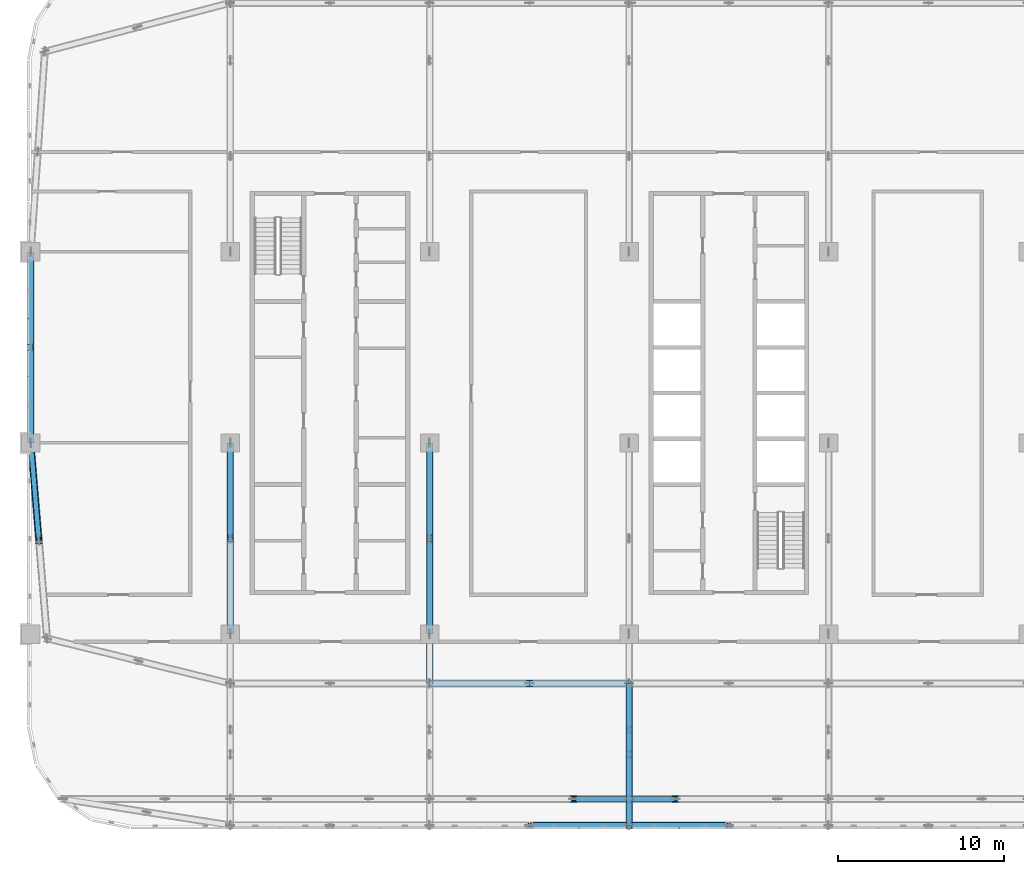
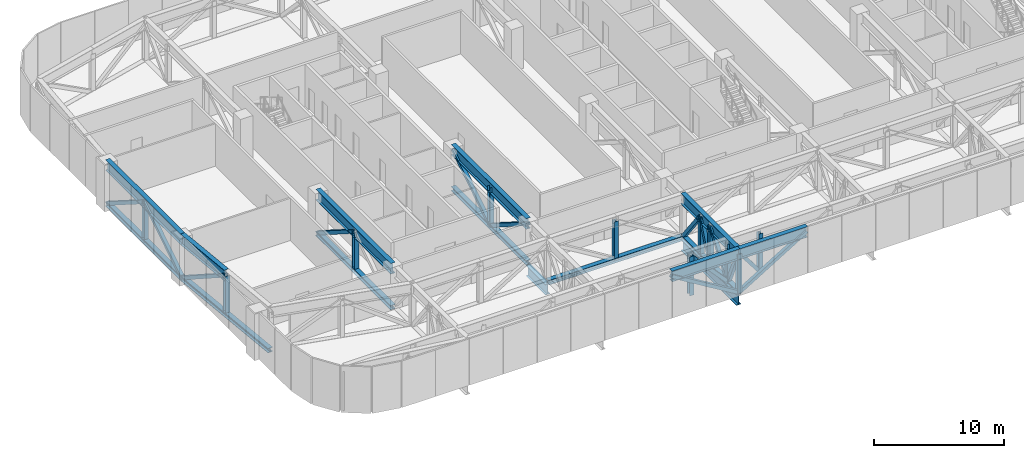
# One storey, part 5 of 28: 38 members, 2 beams.
"""IFC4 building model written with IfcOpenShell, lengths in metres."""

from ifc_helpers import new_model, si_unit, direction, frame, origin, origin_2d, place, context, subcontext, project, spatial, hollow_rectangle, i_section, extrude, material, material_profile, profile_set, type_object, element, save


model = new_model("IFC4")

# Units and contexts
model_context = context("Model", 3, precision=1e-05, world=origin(), true_north=direction((0.0, 1.0)))
body_context = subcontext(model_context, "Body", "Model", "MODEL_VIEW")
ifc_project = project(units=[si_unit("LENGTHUNIT", "METRE"), si_unit("AREAUNIT", "SQUARE_METRE"), si_unit("VOLUMEUNIT", "CUBIC_METRE"), si_unit("PLANEANGLEUNIT", "RADIAN"), si_unit("MASSUNIT", "GRAM", prefix="KILO")], contexts=[model_context])

# Site, building, storey
site_placement = place(None, origin())
site = spatial("IfcSite", under=ifc_project, at=site_placement, CompositionType="ELEMENT")
building_placement = place(site_placement, origin())
building = spatial("IfcBuilding", under=site, at=building_placement, Name="Mahtab Terrace Research Tower", CompositionType="ELEMENT")
storey_placement = place(building_placement, frame((0.0, 0.0, 224.300048828125)))
storey = spatial("IfcBuildingStorey", under=building, at=storey_placement, Name="L54", CompositionType="ELEMENT", Elevation=224.300048828125)

# Members
ifc_material_1 = material(Name="Steel ASTM A500 Gr C", Category="steel")
ifc_material_profile_1 = material_profile(ifc_material_1, hollow_rectangle(XDim=0.3046875, YDim=0.3046875, WallThickness=0.0126953125, at=origin_2d()), Name="HSS12X12X1/2")
ifc_profile_set_1 = profile_set([ifc_material_profile_1], Name="Steel ASTM A500 Gr C")
member_type_1 = type_object("IfcMemberType", Name="HSS 12x12x1/2 brace TD121212", PredefinedType="BRACE", material=ifc_profile_set_1)
member_1_placement = place(storey_placement, frame((-42.0, 0.0, -0.18798828125), z_axis=(0.070506230624, -0.847623581335, 0.525892703702), x_axis=(0.996558305152, 0.082894779287, 0.0)))
element("IfcMember", 1, at=member_1_placement, inside=storey, type_object=member_type_1, Name="Transfer truss T6 diagonal 001", PredefinedType="BRACE", context=body_context, shape_type="SweptSolid", body=[
    extrude(hollow_rectangle(XDim=0.3046875, YDim=0.3046875, WallThickness=0.0126953125, at=origin_2d()), origin(), (0.0, 0.0, 1.0), 6.935791015625),
])
for number, where, z_axis, x_axis, name in (
    (2, (-42.0, 0.0, -0.18798828125), (0.0, 0.844434215401, 0.535659272168), (-1.0, 0.0, 0.0), "Transfer truss T6 diagonal 002"),
    (3, (-42.0, 11.5, -0.18798828125), (0.0, -0.844434215401, 0.535659272168), (1.0, 0.0, 0.0), "Transfer truss T6 diagonal 003"),
    (4, (-30.0, 0.0, -0.18798828125), (0.0, -0.844434215401, 0.535659272168), (1.0, 0.0, 0.0), "Transfer truss T6 diagonal 022"),
    (5, (-18.0, -5.75, -0.18798828125), (0.0, -0.844434215401, 0.535659272168), (1.0, 0.0, 0.0), "Transfer truss T6 diagonal 040"),
    (6, (-18.0, -5.75, -0.18798828125), (0.0, 0.844434215401, 0.535659272168), (-1.0, 0.0, 0.0), "Transfer truss T6 diagonal 041"),
):
    element("IfcMember", number, at=place(storey_placement, frame(where, z_axis=z_axis, x_axis=x_axis)), inside=storey, type_object=member_type_1, Name=name, PredefinedType="BRACE", context=body_context, shape_type="SweptSolid", body=[
        extrude(hollow_rectangle(XDim=0.3046875, YDim=0.3046875, WallThickness=0.0126953125, at=origin_2d()), origin(), (0.0, 0.0, 1.0), 6.809326171875),
    ])
member_2_placement = place(storey_placement, frame((-6.0, -21.416015625, -0.18798828125), z_axis=(-0.676875055583, 0.0, 0.736097927676), x_axis=(0.0, -1.0, 0.0)))
element("IfcMember", 7, at=member_2_placement, inside=storey, type_object=member_type_1, Name="Transfer truss T6 diagonal 050", PredefinedType="BRACE", context=body_context, shape_type="SweptSolid", body=[
    extrude(hollow_rectangle(XDim=0.3046875, YDim=0.3046875, WallThickness=0.0126953125, at=origin_2d()), origin(), (0.0, 0.0, 1.0), 4.955078125),
])
member_3_placement = place(storey_placement, frame((-6.0, -23.0, -0.18798828125), z_axis=(-0.854496522168, 0.0, 0.519457114306), x_axis=(0.0, -1.0, 0.0)))
element("IfcMember", 8, at=member_3_placement, inside=storey, type_object=member_type_1, Name="Transfer truss T6 diagonal 051", PredefinedType="BRACE", context=body_context, shape_type="SweptSolid", body=[
    extrude(hollow_rectangle(XDim=0.3046875, YDim=0.3046875, WallThickness=0.0126953125, at=origin_2d()), origin(), (0.0, 0.0, 1.0), 7.021728515625),
])
member_4_placement = place(storey_placement, frame((-6.0, -21.416015625, -0.18798828125), z_axis=(0.0, -0.398330959805, 0.917241760094), x_axis=(1.0, 0.0, 0.0)))
element("IfcMember", 9, at=member_4_placement, inside=storey, type_object=member_type_1, Name="Transfer truss T6 diagonal 052", PredefinedType="BRACE", context=body_context, shape_type="SweptSolid", body=[
    extrude(hollow_rectangle(XDim=0.3046875, YDim=0.3046875, WallThickness=0.0126953125, at=origin_2d()), origin(), (0.0, 0.0, 1.0), 3.9765625),
])
member_5_placement = place(storey_placement, frame((-6.0, -21.416015625, -0.18798828125), z_axis=(0.0, 0.5921000261, 0.805864479359), x_axis=(-1.0, 0.0, 0.0)))
element("IfcMember", 10, at=member_5_placement, inside=storey, type_object=member_type_1, Name="Transfer truss T6 diagonal 053", PredefinedType="BRACE", context=body_context, shape_type="SweptSolid", body=[
    extrude(hollow_rectangle(XDim=0.3046875, YDim=0.3046875, WallThickness=0.0126953125, at=origin_2d()), origin(), (0.0, 0.0, 1.0), 4.526123046875),
])
member_6_placement = place(storey_placement, frame((-3.2119140625, -21.416015625, -0.18798828125), z_axis=(-0.607292187246, 0.0, 0.794478570705), x_axis=(0.0, -1.0, 0.0)))
element("IfcMember", 11, at=member_6_placement, inside=storey, type_object=member_type_1, Name="Transfer truss T6 diagonal 054", PredefinedType="BRACE", context=body_context, shape_type="SweptSolid", body=[
    extrude(hollow_rectangle(XDim=0.3046875, YDim=0.3046875, WallThickness=0.0126953125, at=origin_2d()), origin(), (0.0, 0.0, 1.0), 4.591064453125),
])
member_7_placement = place(storey_placement, frame((-6.0, -18.736083984375, -0.18798828125), z_axis=(0.0, 0.377314608222, 0.926085139943), x_axis=(-1.0, 0.0, 0.0)))
element("IfcMember", 12, at=member_7_placement, inside=storey, type_object=member_type_1, Name="Transfer truss T6 diagonal 055", PredefinedType="BRACE", context=body_context, shape_type="SweptSolid", body=[
    extrude(hollow_rectangle(XDim=0.3046875, YDim=0.3046875, WallThickness=0.0126953125, at=origin_2d()), origin(), (0.0, 0.0, 1.0), 3.9384765625),
])
member_8_placement = place(storey_placement, frame((-6.0, -14.472900390625, -0.18798828125), z_axis=(0.0, -0.605778433587, 0.795633388817), x_axis=(1.0, 0.0, 0.0)))
element("IfcMember", 13, at=member_8_placement, inside=storey, type_object=member_type_1, Name="Transfer truss T6 diagonal 056", PredefinedType="BRACE", context=body_context, shape_type="SweptSolid", body=[
    extrude(hollow_rectangle(XDim=0.3046875, YDim=0.3046875, WallThickness=0.0126953125, at=origin_2d()), origin(), (0.0, 0.0, 1.0), 4.584228515625),
])
member_9_placement = place(storey_placement, frame((-6.0, -23.0, -0.18798828125), z_axis=(0.854496522168, 0.0, 0.519457114306), x_axis=(0.0, 1.0, 0.0)))
element("IfcMember", 14, at=member_9_placement, inside=storey, type_object=member_type_1, Name="Transfer truss T6 diagonal 066", PredefinedType="BRACE", context=body_context, shape_type="SweptSolid", body=[
    extrude(hollow_rectangle(XDim=0.3046875, YDim=0.3046875, WallThickness=0.0126953125, at=origin_2d()), origin(), (0.0, 0.0, 1.0), 7.021728515625),
])
ifc_material_2 = material(Name="Steel ASTM A992 Gr 50", Category="steel")
ifc_material_profile_2 = material_profile(ifc_material_2, i_section(OverallWidth=0.373291015625, OverallDepth=0.373291015625, WebThickness=0.016357421875, FlangeThickness=0.026123046875, at=origin_2d()), Name="W14X132")
ifc_profile_set_2 = profile_set([ifc_material_profile_2], Name="Steel ASTM A992 Gr 50")
member_type_2 = type_object("IfcMemberType", Name="W14x132 post TP14132", PredefinedType="POST", material=ifc_profile_set_2)
for number, where, z_axis, x_axis, name in (
    (15, (-42.0, 5.75, -0.18798828125), (0.0, 0.0, 1.0), (1.0, 0.0, 0.0), "Transfer truss T6 post 002"),
    (16, (-41.510009765625, -5.8798828125, -0.18798828125), (0.0, 0.0, 1.0), (1.0, 0.0, 0.0), "Transfer truss T6 post 005"),
    (17, (-30.0, -5.75, -0.18798828125), (0.0, 0.0, 1.0), (1.0, 0.0, 0.0), "Transfer truss T6 post 019"),
    (18, (-18.0, -5.75, -0.18798828125), (0.0, 0.0, 1.0), (1.0, 0.0, 0.0), "Transfer truss T6 post 036"),
    (19, (-12.0, -14.469970703125, -0.18798828125), (0.0, 0.0, 1.0), (1.0, 0.0, 0.0), "Transfer truss T6 post 044"),
    (20, (-9.35009765625, -21.419921875, -0.18798828125), (0.0, 0.0, 1.0), (1.0, 0.0, 0.0), "Transfer truss T6 post 046"),
    (21, (-6.0, -23.0, -0.18798828125), (0.0, 0.0, 1.0), (1.0, 0.0, 0.0), "Transfer truss T6 post 047"),
    (22, (-6.0, -21.419921875, -0.18798828125), (0.0, 0.0, 1.0), (1.0, 0.0, 0.0), "Transfer truss T6 post 048"),
    (23, (-6.0, -18.739990234375, -0.18798828125), (0.0, 0.0, 1.0), (1.0, 0.0, 0.0), "Transfer truss T6 post 049"),
    (24, (-6.0, -17.25, -0.18798828125), (0.0, 0.0, 1.0), (1.0, 0.0, 0.0), "Transfer truss T6 post 050"),
    (25, (-3.2099609375, -21.419921875, -0.18798828125), (0.0, 0.0, 1.0), (1.0, 0.0, 0.0), "Transfer truss T6 post 059"),
):
    element("IfcMember", number, at=place(storey_placement, frame(where, z_axis=z_axis, x_axis=x_axis)), inside=storey, type_object=member_type_2, Name=name, PredefinedType="POST", context=body_context, shape_type="SweptSolid", body=[
        extrude(i_section(OverallWidth=0.373291015625, OverallDepth=0.373291015625, WebThickness=0.016357421875, FlangeThickness=0.026123046875, at=origin_2d()), origin(), (0.0, 0.0, 1.0), 3.6474609375),
    ])
ifc_material_profile_3 = material_profile(ifc_material_2, i_section(OverallWidth=0.408935546875, OverallDepth=0.42431640625, WebThickness=0.03271484375, FlangeThickness=0.052490234375, at=origin_2d()), Name="W14X283")
ifc_profile_set_3 = profile_set([ifc_material_profile_3], Name="Steel ASTM A992 Gr 50")
member_type_3 = type_object("IfcMemberType", Name="W14x283 chord TC14283", PredefinedType="CHORD", material=ifc_profile_set_3)
member_10_placement = place(storey_placement, frame((-42.0, 0.0, -0.18798828125), z_axis=(0.082975269256, -0.996551606638, 0.0), x_axis=(0.996551606638, 0.082975269256, 0.0)))
element("IfcMember", 26, at=member_10_placement, inside=storey, type_object=member_type_3, Name="Transfer truss T6 bottom chord 001", PredefinedType="CHORD", context=body_context, shape_type="SweptSolid", body=[
    extrude(i_section(OverallWidth=0.408935546875, OverallDepth=0.42431640625, WebThickness=0.03271484375, FlangeThickness=0.052490234375, at=origin_2d()), origin(), (0.0, 0.0, 1.0), 11.798828125),
])
for number, where, z_axis, x_axis, name in (
    (27, (-42.0, 11.5, -0.18798828125), (0.0, -1.0, 0.0), (1.0, 0.0, 0.0), "Transfer truss T6 bottom chord 002"),
    (28, (-30.0, -11.5, -0.18798828125), (0.0, 1.0, 0.0), (-1.0, 0.0, 0.0), "Transfer truss T6 bottom chord 018"),
):
    element("IfcMember", number, at=place(storey_placement, frame(where, z_axis=z_axis, x_axis=x_axis)), inside=storey, type_object=member_type_3, Name=name, PredefinedType="CHORD", context=body_context, shape_type="SweptSolid", body=[
        extrude(i_section(OverallWidth=0.408935546875, OverallDepth=0.42431640625, WebThickness=0.03271484375, FlangeThickness=0.052490234375, at=origin_2d()), origin(), (0.0, 0.0, 1.0), 11.5),
    ])
member_11_placement = place(storey_placement, frame((-18.0, -14.472900390625, -0.18798828125), z_axis=(1.0, 0.0, 0.0), x_axis=(0.0, 1.0, 0.0)))
element("IfcMember", 29, at=member_11_placement, inside=storey, type_object=member_type_3, Name="Transfer truss T6 bottom chord 026", PredefinedType="CHORD", context=body_context, shape_type="SweptSolid", body=[
    extrude(i_section(OverallWidth=0.408935546875, OverallDepth=0.42431640625, WebThickness=0.03271484375, FlangeThickness=0.052490234375, at=origin_2d()), origin(), (0.0, 0.0, 1.0), 12.0),
])
member_12_placement = place(storey_placement, frame((-18.0, -11.5, -0.18798828125), z_axis=(0.0, 1.0, 0.0), x_axis=(-1.0, 0.0, 0.0)))
element("IfcMember", 30, at=member_12_placement, inside=storey, type_object=member_type_3, Name="Transfer truss T6 bottom chord 041", PredefinedType="CHORD", context=body_context, shape_type="SweptSolid", body=[
    extrude(i_section(OverallWidth=0.408935546875, OverallDepth=0.42431640625, WebThickness=0.03271484375, FlangeThickness=0.052490234375, at=origin_2d()), origin(), (0.0, 0.0, 1.0), 11.5),
])
member_13_placement = place(storey_placement, frame((-6.0, -23.0, -0.18798828125), z_axis=(0.0, 1.0, 0.0), x_axis=(-1.0, 0.0, 0.0)))
element("IfcMember", 31, at=member_13_placement, inside=storey, type_object=member_type_3, Name="Transfer truss T6 bottom chord 044", PredefinedType="CHORD", context=body_context, shape_type="SweptSolid", body=[
    extrude(i_section(OverallWidth=0.408935546875, OverallDepth=0.42431640625, WebThickness=0.03271484375, FlangeThickness=0.052490234375, at=origin_2d()), origin(), (0.0, 0.0, 1.0), 8.527099609375),
])
ifc_material_profile_4 = material_profile(ifc_material_2, i_section(OverallWidth=0.4013671875, OverallDepth=1.000732421875, WebThickness=0.01904296875, FlangeThickness=0.0361328125, at=origin_2d()), Name="W40X249")
ifc_profile_set_4 = profile_set([ifc_material_profile_4], Name="Steel ASTM A992 Gr 50")
member_type_4 = type_object("IfcMemberType", Name="W40x249 chord TT40249", PredefinedType="CHORD", material=ifc_profile_set_4)
member_14_placement = place(storey_placement, frame((-42.0, 0.0, 3.45947265625), z_axis=(0.082894779287, -0.996558305152, 0.0), x_axis=(0.996558305152, 0.082894779287, 0.0)))
element("IfcMember", 32, at=member_14_placement, inside=storey, type_object=member_type_4, Name="Transfer truss T6 top chord 001", PredefinedType="CHORD", context=body_context, shape_type="SweptSolid", body=[
    extrude(i_section(OverallWidth=0.4013671875, OverallDepth=1.000732421875, WebThickness=0.01904296875, FlangeThickness=0.0361328125, at=origin_2d()), origin(), (0.0, 0.0, 1.0), 5.899169921875),
])
for number, where, z_axis, x_axis, name in (
    (33, (-42.0, 11.5, 3.45947265625), (0.0, -1.0, 0.0), (1.0, 0.0, 0.0), "Transfer truss T6 top chord 003"),
    (34, (-30.0, -11.5, 3.45947265625), (0.0, 1.0, 0.0), (-1.0, 0.0, 0.0), "Transfer truss T6 top chord 023"),
):
    element("IfcMember", number, at=place(storey_placement, frame(where, z_axis=z_axis, x_axis=x_axis)), inside=storey, type_object=member_type_4, Name=name, PredefinedType="CHORD", context=body_context, shape_type="SweptSolid", body=[
        extrude(i_section(OverallWidth=0.4013671875, OverallDepth=1.000732421875, WebThickness=0.01904296875, FlangeThickness=0.0361328125, at=origin_2d()), origin(), (0.0, 0.0, 1.0), 11.5),
    ])
for number, where, z_axis, x_axis, name in (
    (35, (0.0, -23.0, 3.45947265625), (-1.0, 0.0, 0.0), (0.0, -1.0, 0.0), "Transfer truss T6 top chord 031"),
    (36, (-6.0, -23.0, 3.45947265625), (-1.0, 0.0, 0.0), (0.0, -1.0, 0.0), "Transfer truss T6 top chord 032"),
):
    element("IfcMember", number, at=place(storey_placement, frame(where, z_axis=z_axis, x_axis=x_axis)), inside=storey, type_object=member_type_4, Name=name, PredefinedType="CHORD", context=body_context, shape_type="SweptSolid", body=[
        extrude(i_section(OverallWidth=0.4013671875, OverallDepth=1.000732421875, WebThickness=0.01904296875, FlangeThickness=0.0361328125, at=origin_2d()), origin(), (0.0, 0.0, 1.0), 6.0),
    ])
member_15_placement = place(storey_placement, frame((-18.0, -11.5, 3.45947265625), z_axis=(0.0, 1.0, 0.0), x_axis=(-1.0, 0.0, 0.0)))
element("IfcMember", 37, at=member_15_placement, inside=storey, type_object=member_type_4, Name="Transfer truss T6 top chord 064", PredefinedType="CHORD", context=body_context, shape_type="SweptSolid", body=[
    extrude(i_section(OverallWidth=0.4013671875, OverallDepth=1.000732421875, WebThickness=0.01904296875, FlangeThickness=0.0361328125, at=origin_2d()), origin(), (0.0, 0.0, 1.0), 11.5),
])
member_16_placement = place(storey_placement, frame((-6.0, -23.0, 3.45947265625), z_axis=(0.0, 1.0, 0.0), x_axis=(-1.0, 0.0, 0.0)))
element("IfcMember", 38, at=member_16_placement, inside=storey, type_object=member_type_4, Name="Transfer truss T6 top chord 067", PredefinedType="CHORD", context=body_context, shape_type="SweptSolid", body=[
    extrude(i_section(OverallWidth=0.4013671875, OverallDepth=1.000732421875, WebThickness=0.01904296875, FlangeThickness=0.0361328125, at=origin_2d()), origin(), (0.0, 0.0, 1.0), 8.527099609375),
])

# Beams
ifc_material_profile_5 = material_profile(ifc_material_2, i_section(OverallWidth=0.4013671875, OverallDepth=1.000732421875, WebThickness=0.01904296875, FlangeThickness=0.0361328125, at=origin_2d()), Name="W40X249")
ifc_profile_set_5 = profile_set([ifc_material_profile_5], Name="Steel ASTM A992 Gr 50")
beam_type = type_object("IfcBeamType", Name="W40x249 transfer girder TG40249", PredefinedType="BEAM", material=ifc_profile_set_5)
beam_1_placement = place(storey_placement, frame((-18.0, -14.472900390625, -0.8984375), z_axis=(0.0, 1.0, 0.0), x_axis=(-1.0, 0.0, 0.0)))
element("IfcBeam", 39, at=beam_1_placement, inside=storey, type_object=beam_type, Name="Transfer girder T6 18", PredefinedType="BEAM", context=body_context, shape_type="SweptSolid", body=[
    extrude(i_section(OverallWidth=0.4013671875, OverallDepth=1.000732421875, WebThickness=0.01904296875, FlangeThickness=0.0361328125, at=origin_2d()), origin(), (0.0, 0.0, 1.0), 2.972900390625),
])
beam_2_placement = place(storey_placement, frame((-6.0, -23.0, -0.8984375), z_axis=(0.0, 1.0, 0.0), x_axis=(-1.0, 0.0, 0.0)))
element("IfcBeam", 40, at=beam_2_placement, inside=storey, type_object=beam_type, Name="Transfer girder T6 19", PredefinedType="BEAM", context=body_context, shape_type="SweptSolid", body=[
    extrude(i_section(OverallWidth=0.4013671875, OverallDepth=1.000732421875, WebThickness=0.01904296875, FlangeThickness=0.0361328125, at=origin_2d()), origin(), (0.0, 0.0, 1.0), 8.527099609375),
])

save(model, "model.ifc")
